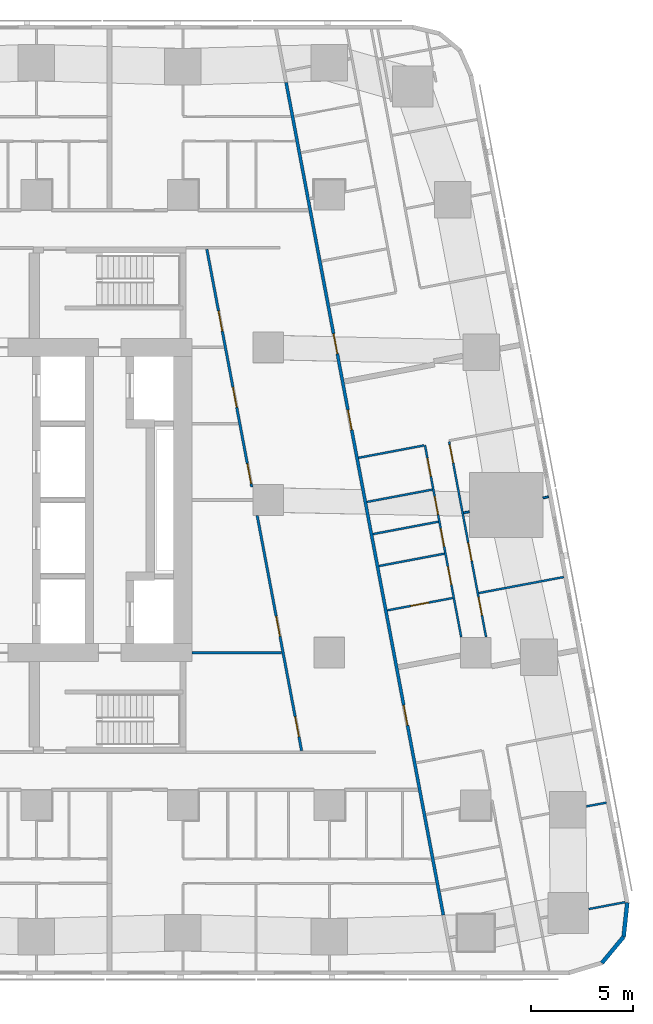
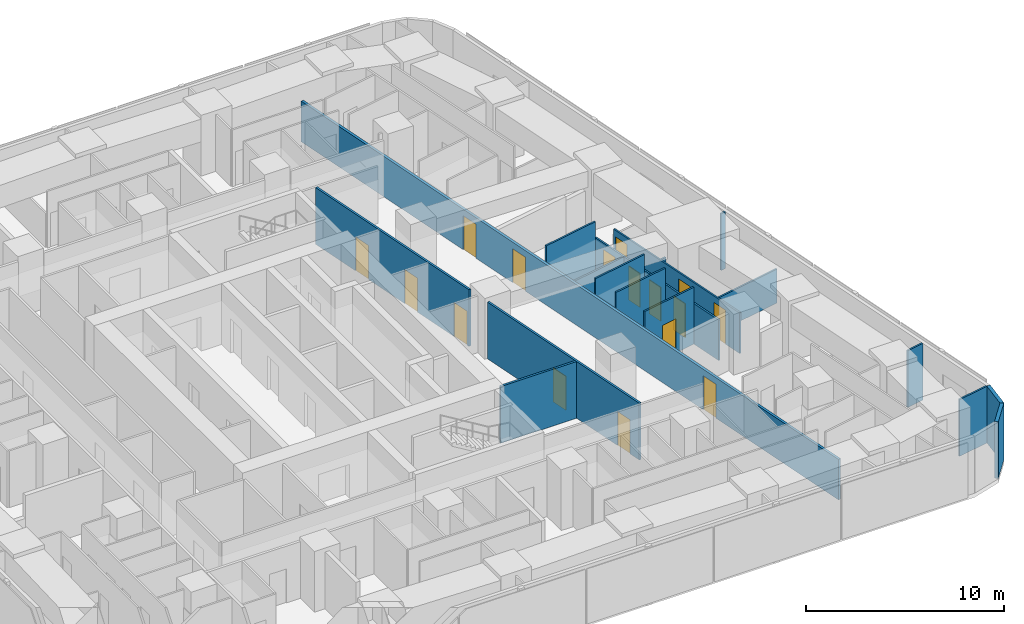
# One storey, part 7 of 15: 18 walls, 16 doors, 16 openings.
"""IFC4 building model written with IfcOpenShell, lengths in metres."""

from ifc_helpers import new_model, si_unit, direction, frame, frame_2d, origin, place, context, subcontext, project, spatial, rectangle, extrude, material, layer, layer_set, type_object, element, fill, save


model = new_model("IFC4")

# Units and contexts
model_context = context("Model", 3, precision=1e-05, world=origin(), true_north=direction((0.0, 1.0)))
body_context = subcontext(model_context, "Body", "Model", "MODEL_VIEW")
ifc_project = project(units=[si_unit("LENGTHUNIT", "METRE"), si_unit("AREAUNIT", "SQUARE_METRE"), si_unit("VOLUMEUNIT", "CUBIC_METRE"), si_unit("PLANEANGLEUNIT", "RADIAN"), si_unit("MASSUNIT", "GRAM", prefix="KILO")], contexts=[model_context])

# Site, building, storey
site_placement = place(None, origin())
site = spatial("IfcSite", under=ifc_project, at=site_placement, CompositionType="ELEMENT")
building_placement = place(site_placement, origin())
building = spatial("IfcBuilding", under=site, at=building_placement, Name="Sheger Commons Tower", CompositionType="ELEMENT")
storey_placement = place(building_placement, frame((0.0, 0.0, 147.050048828125)))
storey = spatial("IfcBuildingStorey", under=building, at=storey_placement, Name="L37", CompositionType="ELEMENT", Elevation=147.050048828125)

# Wall, openings, doors
ifc_material_1 = material(Name="Hollow concrete block masonry, skimmed both sides", Category="masonry")
ifc_layer_1 = layer(ifc_material_1, 0.14990234375)
ifc_layer_set_1 = layer_set([ifc_layer_1], Name="CORRIDOR WALL 150")
wall_type_1 = type_object("IfcWallType", Name="CORRIDOR WALL 150", PredefinedType="SOLIDWALL", material=ifc_layer_set_1)
wall_1_placement = place(storey_placement, frame((33.876953125, 43.029052734375, 0.0), z_axis=(0.0, 0.0, 1.0), x_axis=(0.185596841028, -0.98262597798, 0.0)))
wall_1 = element("IfcWall", 1, at=wall_1_placement, inside=storey, type_object=wall_type_1, Name="Corridor wall L37", PredefinedType="SOLIDWALL", context=body_context, shape_type="SweptSolid", body=[
    extrude(rectangle(XDim=41.659912109375, YDim=0.14990234375, at=frame_2d((20.830078125, 0.0))), origin(), (0.0, 0.0, 1.0), 2.5),
])
opening_1_placement = place(wall_1_placement, frame((12.570068359375, 0.0, 0.0)))
opening_1 = element("IfcOpeningElement", 2, at=opening_1_placement, cuts=wall_1, Name="Opening D1", PredefinedType="OPENING", context=body_context, shape_type="SweptSolid", body=[
    extrude(rectangle(XDim=1.0, YDim=2.10009765625, at=frame_2d((0.5, 1.050048828125))), frame((0.0, 0.0849609375, 0.0), z_axis=(0.0, -1.0, 0.0), x_axis=(1.0, 0.0, 0.0)), (0.0, 0.0, 1.0), 0.169921875),
])
opening_2_placement = place(wall_1_placement, frame((16.385986328125, 0.0, 0.0)))
opening_2 = element("IfcOpeningElement", 3, at=opening_2_placement, cuts=wall_1, Name="Opening D1", PredefinedType="OPENING", context=body_context, shape_type="SweptSolid", body=[
    extrude(rectangle(XDim=1.0, YDim=2.10009765625, at=frame_2d((0.5, 1.050048828125))), frame((0.0, 0.0849609375, 0.0), z_axis=(0.0, -1.0, 0.0), x_axis=(1.0, 0.0, 0.0)), (0.0, 0.0, 1.0), 0.169921875),
])
opening_3_placement = place(wall_1_placement, frame((31.166015625, 0.0, 0.0)))
opening_3 = element("IfcOpeningElement", 4, at=opening_3_placement, cuts=wall_1, Name="Opening D1", PredefinedType="OPENING", context=body_context, shape_type="SweptSolid", body=[
    extrude(rectangle(XDim=1.0, YDim=2.10009765625, at=frame_2d((0.5, 1.050048828125))), frame((0.0, 0.0849609375, 0.0), z_axis=(0.0, -1.0, 0.0), x_axis=(1.0, 0.0, 0.0)), (0.0, 0.0, 1.0), 0.169921875),
])
ifc_material_2 = material(Name="Steel door set, fire rated", Category="steel")
door_type_1 = type_object("IfcDoorType", Name="FLAT ENTRANCE DOOR 1000x2100", OperationType="NOTDEFINED", PredefinedType="DOOR", material=ifc_material_2)
door_1_placement = place(opening_1_placement, origin())
door_1 = element("IfcDoor", 5, at=door_1_placement, inside=storey, type_object=door_type_1, Name="Flat entrance door", OperationType="SINGLE_SWING_RIGHT", OverallHeight=2.10009765625, OverallWidth=1.0, PredefinedType="DOOR", context=body_context, shape_type="SweptSolid", body=[
    extrude(rectangle(XDim=1.0, YDim=2.10009765625, at=frame_2d((0.5, 1.050048828125))), frame((0.0, 0.02490234375, 0.0), z_axis=(0.0, -1.0, 0.0), x_axis=(1.0, 0.0, 0.0)), (0.0, 0.0, 1.0), 0.050048828125),
])
fill(opening_1, door_1)
door_2_placement = place(opening_2_placement, origin())
door_2 = element("IfcDoor", 6, at=door_2_placement, inside=storey, type_object=door_type_1, Name="Flat entrance door", OperationType="SINGLE_SWING_LEFT", OverallHeight=2.10009765625, OverallWidth=1.0, PredefinedType="DOOR", context=body_context, shape_type="SweptSolid", body=[
    extrude(rectangle(XDim=1.0, YDim=2.10009765625, at=frame_2d((0.5, 1.050048828125))), frame((0.0, 0.02490234375, 0.0), z_axis=(0.0, -1.0, 0.0), x_axis=(1.0, 0.0, 0.0)), (0.0, 0.0, 1.0), 0.050048828125),
])
fill(opening_2, door_2)
door_3_placement = place(opening_3_placement, origin())
door_3 = element("IfcDoor", 7, at=door_3_placement, inside=storey, type_object=door_type_1, Name="Flat entrance door", OperationType="SINGLE_SWING_LEFT", OverallHeight=2.10009765625, OverallWidth=1.0, PredefinedType="DOOR", context=body_context, shape_type="SweptSolid", body=[
    extrude(rectangle(XDim=1.0, YDim=2.10009765625, at=frame_2d((0.5, 1.050048828125))), frame((0.0, 0.02490234375, 0.0), z_axis=(0.0, -1.0, 0.0), x_axis=(1.0, 0.0, 0.0)), (0.0, 0.0, 1.0), 0.050048828125),
])
fill(opening_3, door_3)

# Walls
ifc_material_3 = material(Name="Rendered concrete block masonry, dark grey", Category="masonry")
ifc_layer_2 = layer(ifc_material_3, 0.199951171875)
ifc_layer_set_2 = layer_set([ifc_layer_2], Name="FACADE WALL 200")
wall_type_2 = type_object("IfcWallType", Name="FACADE WALL 200", PredefinedType="SOLIDWALL", material=ifc_layer_set_2)
wall_2_placement = place(storey_placement, frame((49.406982421875, -0.262939453125, 0.0), z_axis=(0.0, 0.0, 1.0), x_axis=(0.638042593423, 0.770001070764, 0.0)))
element("IfcWall", 8, at=wall_2_placement, inside=storey, type_object=wall_type_2, Name="Facade wall L37", PredefinedType="SOLIDWALL", context=body_context, shape_type="SweptSolid", body=[
    extrude(rectangle(XDim=1.672607421875, YDim=0.199951171875, at=frame_2d((0.83642578125, 0.0))), origin(), (0.0, 0.0, 1.0), 3.5),
])
wall_3_placement = place(storey_placement, frame((50.47412109375, 1.02490234375, 0.0), z_axis=(0.0, 0.0, 1.0), x_axis=(0.106047815515, 0.994361031429, 0.0)))
element("IfcWall", 9, at=wall_3_placement, inside=storey, type_object=wall_type_2, Name="Facade wall L37", PredefinedType="SOLIDWALL", context=body_context, shape_type="SweptSolid", body=[
    extrude(rectangle(XDim=1.6875, YDim=0.199951171875, at=frame_2d((0.84375, 0.0))), origin(), (0.0, 0.0, 1.0), 3.5),
])

# Wall, openings, doors
ifc_material_4 = material(Name="Gypsum board on steel studs", Category="steel")
ifc_layer_3 = layer(ifc_material_4, 0.10009765625)
ifc_layer_set_3 = layer_set([ifc_layer_3], Name="PARTITION 100")
wall_type_3 = type_object("IfcWallType", Name="PARTITION 100", PredefinedType="PARTITIONING", material=ifc_layer_set_3)
wall_4_placement = place(storey_placement, frame((41.89404296875, 25.365966796875, 0.0), z_axis=(0.0, 0.0, 1.0), x_axis=(0.1856544654, -0.982615092229, 0.0)))
wall_4 = element("IfcWall", 10, at=wall_4_placement, inside=storey, type_object=wall_type_3, Name="Partition L37", PredefinedType="PARTITIONING", context=body_context, shape_type="SweptSolid", body=[
    extrude(rectangle(XDim=9.77587890625, YDim=0.10009765625, at=frame_2d((4.887939453125, 0.0))), origin(), (0.0, 0.0, 1.0), 2.5),
])
opening_4_placement = place(wall_4_placement, frame((0.15087890625, 0.0, 0.0)))
opening_4 = element("IfcOpeningElement", 11, at=opening_4_placement, cuts=wall_4, Name="Opening D2", PredefinedType="OPENING", context=body_context, shape_type="SweptSolid", body=[
    extrude(rectangle(XDim=0.89990234375, YDim=2.10009765625, at=frame_2d((0.449951171875, 1.050048828125))), frame((0.0, 0.06005859375, 0.0), z_axis=(0.0, -1.0, 0.0), x_axis=(1.0, 0.0, 0.0)), (0.0, 0.0, 1.0), 0.1201171875),
])
opening_5_placement = place(wall_4_placement, frame((5.050048828125, 0.0, 0.0)))
opening_5 = element("IfcOpeningElement", 12, at=opening_5_placement, cuts=wall_4, Name="Opening D2", PredefinedType="OPENING", context=body_context, shape_type="SweptSolid", body=[
    extrude(rectangle(XDim=0.89990234375, YDim=2.10009765625, at=frame_2d((0.449951171875, 1.050048828125))), frame((0.0, 0.06005859375, 0.0), z_axis=(0.0, -1.0, 0.0), x_axis=(1.0, 0.0, 0.0)), (0.0, 0.0, 1.0), 0.1201171875),
])
opening_6_placement = place(wall_4_placement, frame((7.782958984375, 0.0, 0.0)))
opening_6 = element("IfcOpeningElement", 13, at=opening_6_placement, cuts=wall_4, Name="Opening D2", PredefinedType="OPENING", context=body_context, shape_type="SweptSolid", body=[
    extrude(rectangle(XDim=0.89990234375, YDim=2.10009765625, at=frame_2d((0.449951171875, 1.050048828125))), frame((0.0, 0.06005859375, 0.0), z_axis=(0.0, -1.0, 0.0), x_axis=(1.0, 0.0, 0.0)), (0.0, 0.0, 1.0), 0.1201171875),
])
ifc_material_5 = material(Name="Timber door set", Category="wood")
door_type_2 = type_object("IfcDoorType", Name="INTERNAL DOOR 900x2100", OperationType="NOTDEFINED", PredefinedType="DOOR", material=ifc_material_5)
door_4_placement = place(opening_4_placement, origin())
door_4 = element("IfcDoor", 14, at=door_4_placement, inside=storey, type_object=door_type_2, Name="Main bedroom door", OperationType="SINGLE_SWING_LEFT", OverallHeight=2.10009765625, OverallWidth=0.89990234375, PredefinedType="DOOR", context=body_context, shape_type="SweptSolid", body=[
    extrude(rectangle(XDim=0.89990234375, YDim=2.10009765625, at=frame_2d((0.449951171875, 1.050048828125))), frame((0.0, 0.02490234375, 0.0), z_axis=(0.0, -1.0, 0.0), x_axis=(1.0, 0.0, 0.0)), (0.0, 0.0, 1.0), 0.050048828125),
])
fill(opening_4, door_4)
door_5_placement = place(opening_5_placement, origin())
door_5 = element("IfcDoor", 15, at=door_5_placement, inside=storey, type_object=door_type_2, Name="Bedroom 2 door", OperationType="SINGLE_SWING_LEFT", OverallHeight=2.10009765625, OverallWidth=0.89990234375, PredefinedType="DOOR", context=body_context, shape_type="SweptSolid", body=[
    extrude(rectangle(XDim=0.89990234375, YDim=2.10009765625, at=frame_2d((0.449951171875, 1.050048828125))), frame((0.0, 0.02490234375, 0.0), z_axis=(0.0, -1.0, 0.0), x_axis=(1.0, 0.0, 0.0)), (0.0, 0.0, 1.0), 0.050048828125),
])
fill(opening_5, door_5)
door_6_placement = place(opening_6_placement, origin())
door_6 = element("IfcDoor", 16, at=door_6_placement, inside=storey, type_object=door_type_2, Name="Bedroom 3 door", OperationType="SINGLE_SWING_LEFT", OverallHeight=2.10009765625, OverallWidth=0.89990234375, PredefinedType="DOOR", context=body_context, shape_type="SweptSolid", body=[
    extrude(rectangle(XDim=0.89990234375, YDim=2.10009765625, at=frame_2d((0.449951171875, 1.050048828125))), frame((0.0, 0.02490234375, 0.0), z_axis=(0.0, -1.0, 0.0), x_axis=(1.0, 0.0, 0.0)), (0.0, 0.0, 1.0), 0.050048828125),
])
fill(opening_6, door_6)

wall_5_placement = place(storey_placement, frame((40.7060546875, 25.19189453125, 0.0), z_axis=(0.0, 0.0, 1.0), x_axis=(0.185610321375, -0.982623431737, 0.0)))
wall_5 = element("IfcWall", 17, at=wall_5_placement, inside=storey, type_object=wall_type_3, Name="Partition L37", PredefinedType="PARTITIONING", context=body_context, shape_type="SweptSolid", body=[
    extrude(rectangle(XDim=9.6005859375, YDim=0.10009765625, at=frame_2d((4.80029296875, 0.0))), origin(), (0.0, 0.0, 1.0), 2.5),
])
opening_7_placement = place(wall_5_placement, frame((0.655029296875, 0.0, 0.0)))
opening_7 = element("IfcOpeningElement", 18, at=opening_7_placement, cuts=wall_5, Name="Opening D2", PredefinedType="OPENING", context=body_context, shape_type="SweptSolid", body=[
    extrude(rectangle(XDim=0.89990234375, YDim=2.10009765625, at=frame_2d((0.449951171875, 1.050048828125))), frame((0.0, 0.06005859375, 0.0), z_axis=(0.0, -1.0, 0.0), x_axis=(1.0, 0.0, 0.0)), (0.0, 0.0, 1.0), 0.1201171875),
])
opening_8_placement = place(wall_5_placement, frame((4.166015625, 0.0, 0.0)))
opening_8 = element("IfcOpeningElement", 19, at=opening_8_placement, cuts=wall_5, Name="Opening D2", PredefinedType="OPENING", context=body_context, shape_type="SweptSolid", body=[
    extrude(rectangle(XDim=0.89990234375, YDim=2.10009765625, at=frame_2d((0.449951171875, 1.050048828125))), frame((0.0, 0.06005859375, 0.0), z_axis=(0.0, -1.0, 0.0), x_axis=(1.0, 0.0, 0.0)), (0.0, 0.0, 1.0), 0.1201171875),
])
opening_9_placement = place(wall_5_placement, frame((2.56298828125, 0.0, 0.0)))
opening_9 = element("IfcOpeningElement", 20, at=opening_9_placement, cuts=wall_5, Name="Opening D2", PredefinedType="OPENING", context=body_context, shape_type="SweptSolid", body=[
    extrude(rectangle(XDim=0.89990234375, YDim=2.10009765625, at=frame_2d((0.449951171875, 1.050048828125))), frame((0.0, 0.06005859375, 0.0), z_axis=(0.0, -1.0, 0.0), x_axis=(1.0, 0.0, 0.0)), (0.0, 0.0, 1.0), 0.1201171875),
])
opening_10_placement = place(wall_5_placement, frame((6.073974609375, 0.0, 0.0)))
opening_10 = element("IfcOpeningElement", 21, at=opening_10_placement, cuts=wall_5, Name="Opening D2", PredefinedType="OPENING", context=body_context, shape_type="SweptSolid", body=[
    extrude(rectangle(XDim=0.89990234375, YDim=2.10009765625, at=frame_2d((0.449951171875, 1.050048828125))), frame((0.0, 0.06005859375, 0.0), z_axis=(0.0, -1.0, 0.0), x_axis=(1.0, 0.0, 0.0)), (0.0, 0.0, 1.0), 0.1201171875),
])
door_7_placement = place(opening_7_placement, origin())
door_7 = element("IfcDoor", 22, at=door_7_placement, inside=storey, type_object=door_type_2, Name="Bathroom door", OperationType="SINGLE_SWING_RIGHT", OverallHeight=2.10009765625, OverallWidth=0.89990234375, PredefinedType="DOOR", context=body_context, shape_type="SweptSolid", body=[
    extrude(rectangle(XDim=0.89990234375, YDim=2.10009765625, at=frame_2d((0.449951171875, 1.050048828125))), frame((0.0, 0.02490234375, 0.0), z_axis=(0.0, -1.0, 0.0), x_axis=(1.0, 0.0, 0.0)), (0.0, 0.0, 1.0), 0.050048828125),
])
fill(opening_7, door_7)
door_8_placement = place(opening_8_placement, origin())
door_8 = element("IfcDoor", 23, at=door_8_placement, inside=storey, type_object=door_type_2, Name="Shower room door", OperationType="SINGLE_SWING_RIGHT", OverallHeight=2.10009765625, OverallWidth=0.89990234375, PredefinedType="DOOR", context=body_context, shape_type="SweptSolid", body=[
    extrude(rectangle(XDim=0.89990234375, YDim=2.10009765625, at=frame_2d((0.449951171875, 1.050048828125))), frame((0.0, 0.02490234375, 0.0), z_axis=(0.0, -1.0, 0.0), x_axis=(1.0, 0.0, 0.0)), (0.0, 0.0, 1.0), 0.050048828125),
])
fill(opening_8, door_8)
door_9_placement = place(opening_9_placement, origin())
door_9 = element("IfcDoor", 24, at=door_9_placement, inside=storey, type_object=door_type_2, Name="Store door", OperationType="SINGLE_SWING_RIGHT", OverallHeight=2.10009765625, OverallWidth=0.89990234375, PredefinedType="DOOR", context=body_context, shape_type="SweptSolid", body=[
    extrude(rectangle(XDim=0.89990234375, YDim=2.10009765625, at=frame_2d((0.449951171875, 1.050048828125))), frame((0.0, 0.02490234375, 0.0), z_axis=(0.0, -1.0, 0.0), x_axis=(1.0, 0.0, 0.0)), (0.0, 0.0, 1.0), 0.050048828125),
])
fill(opening_9, door_9)
door_10_placement = place(opening_10_placement, origin())
door_10 = element("IfcDoor", 25, at=door_10_placement, inside=storey, type_object=door_type_2, Name="Store door", OperationType="SINGLE_SWING_LEFT", OverallHeight=2.10009765625, OverallWidth=0.89990234375, PredefinedType="DOOR", context=body_context, shape_type="SweptSolid", body=[
    extrude(rectangle(XDim=0.89990234375, YDim=2.10009765625, at=frame_2d((0.449951171875, 1.050048828125))), frame((0.0, 0.02490234375, 0.0), z_axis=(0.0, -1.0, 0.0), x_axis=(1.0, 0.0, 0.0)), (0.0, 0.0, 1.0), 0.050048828125),
])
fill(opening_10, door_10)

# Walls
wall_6_placement = place(storey_placement, frame((46.781982421875, 22.656982421875, 0.0), z_axis=(0.0, 0.0, 1.0), x_axis=(-0.982574553168, -0.185868898601, 0.0)))
element("IfcWall", 26, at=wall_6_placement, inside=storey, type_object=wall_type_3, Name="Partition L37", PredefinedType="PARTITIONING", context=body_context, shape_type="SweptSolid", body=[
    extrude(rectangle(XDim=0.27978515625, YDim=0.10009765625, at=frame_2d((0.139892578125, 0.0))), origin(), (0.0, 0.0, 1.0), 3.5),
])
wall_7_placement = place(storey_placement, frame((42.886962890625, 21.9208984375, 0.0), z_axis=(0.0, 0.0, 1.0), x_axis=(-0.982688058078, -0.185267861514, 0.0)))
element("IfcWall", 27, at=wall_7_placement, inside=storey, type_object=wall_type_3, Name="Partition L37", PredefinedType="PARTITIONING", context=body_context, shape_type="SweptSolid", body=[
    extrude(rectangle(XDim=0.285888671875, YDim=0.10009765625, at=frame_2d((0.14306640625, 0.0))), origin(), (0.0, 0.0, 1.0), 2.5),
])
wall_8_placement = place(storey_placement, frame((47.527099609375, 18.7119140625, 0.0), z_axis=(0.0, 0.0, 1.0), x_axis=(-0.982665405803, -0.185387972203, 0.0)))
element("IfcWall", 28, at=wall_8_placement, inside=storey, type_object=wall_type_3, Name="Partition L37", PredefinedType="PARTITIONING", context=body_context, shape_type="SweptSolid", body=[
    extrude(rectangle(XDim=4.249755859375, YDim=0.10009765625, at=frame_2d((2.125, 0.0))), origin(), (0.0, 0.0, 1.0), 2.099853515625),
])
for number, where, z_axis, x_axis, name in (
    (29, (40.656982421875, 25.18310546875, 0.0), (0.0, 0.0, 1.0), (-0.982607026909, -0.185697147715, 0.0), "Partition L37"),
    (30, (41.364990234375, 21.43310546875, 0.0), (0.0, 0.0, 1.0), (-0.982607026909, -0.185697147715, 0.0), "Partition L37"),
):
    element("IfcWall", number, at=place(storey_placement, frame(where, z_axis=z_axis, x_axis=x_axis)), inside=storey, type_object=wall_type_3, Name=name, PredefinedType="PARTITIONING", context=body_context, shape_type="SweptSolid", body=[
        extrude(rectangle(XDim=3.27490234375, YDim=0.10009765625, at=frame_2d((1.637451171875, 0.0))), origin(), (0.0, 0.0, 1.0), 3.5),
    ])

# Wall, opening, door
wall_9_placement = place(storey_placement, frame((42.072998046875, 17.681884765625, 0.0), z_axis=(0.0, 0.0, 1.0), x_axis=(-0.982610347627, -0.185679575441, 0.0)))
wall_9 = element("IfcWall", 31, at=wall_9_placement, inside=storey, type_object=wall_type_3, Name="Partition L37", PredefinedType="PARTITIONING", context=body_context, shape_type="SweptSolid", body=[
    extrude(rectangle(XDim=3.27392578125, YDim=0.10009765625, at=frame_2d((1.636962890625, 0.0))), origin(), (0.0, 0.0, 1.0), 3.5),
])
opening_11_placement = place(wall_9_placement, frame((1.199951171875, 0.0, 0.0)))
opening_11 = element("IfcOpeningElement", 32, at=opening_11_placement, cuts=wall_9, Name="Opening D2", PredefinedType="OPENING", context=body_context, shape_type="SweptSolid", body=[
    extrude(rectangle(XDim=0.89990234375, YDim=2.10009765625, at=frame_2d((0.449951171875, 1.050048828125))), frame((0.0, 0.06005859375, 0.0), z_axis=(0.0, -1.0, 0.0), x_axis=(1.0, 0.0, 0.0)), (0.0, 0.0, 1.0), 0.1201171875),
])
door_11_placement = place(opening_11_placement, origin())
door_11 = element("IfcDoor", 33, at=door_11_placement, inside=storey, type_object=door_type_2, Name="Store door", OperationType="SINGLE_SWING_RIGHT", OverallHeight=2.10009765625, OverallWidth=0.89990234375, PredefinedType="DOOR", context=body_context, shape_type="SweptSolid", body=[
    extrude(rectangle(XDim=0.89990234375, YDim=2.10009765625, at=frame_2d((0.449951171875, 1.050048828125))), frame((0.0, 0.02490234375, 0.0), z_axis=(0.0, -1.0, 0.0), x_axis=(1.0, 0.0, 0.0)), (0.0, 0.0, 1.0), 0.050048828125),
])
fill(opening_11, door_11)

# Walls
wall_10_placement = place(storey_placement, frame((41.06689453125, 23.010986328125, 0.0), z_axis=(0.0, 0.0, 1.0), x_axis=(-0.982618057925, -0.185638768151, 0.0)))
element("IfcWall", 34, at=wall_10_placement, inside=storey, type_object=wall_type_3, Name="Partition L37", PredefinedType="PARTITIONING", context=body_context, shape_type="SweptSolid", body=[
    extrude(rectangle(XDim=3.274658203125, YDim=0.10009765625, at=frame_2d((1.63720703125, 0.0))), origin(), (0.0, 0.0, 1.0), 2.5),
])
wall_11_placement = place(storey_placement, frame((41.662109375, 19.861083984375, 0.0), z_axis=(0.0, 0.0, 1.0), x_axis=(-0.982607026909, -0.185697147715, 0.0)))
element("IfcWall", 35, at=wall_11_placement, inside=storey, type_object=wall_type_3, Name="Partition L37", PredefinedType="PARTITIONING", context=body_context, shape_type="SweptSolid", body=[
    extrude(rectangle(XDim=3.27490234375, YDim=0.10009765625, at=frame_2d((1.637451171875, 0.0))), origin(), (0.0, 0.0, 1.0), 3.5),
])
wall_12_placement = place(storey_placement, frame((49.6220703125, 7.6201171875, 0.0), z_axis=(0.0, 0.0, 1.0), x_axis=(-0.982708646087, -0.185158626332, 0.0)))
element("IfcWall", 36, at=wall_12_placement, inside=storey, type_object=wall_type_3, Name="Partition L37", PredefinedType="PARTITIONING", context=body_context, shape_type="SweptSolid", body=[
    extrude(rectangle(XDim=0.99951171875, YDim=0.10009765625, at=frame_2d((0.499755859375, 0.0))), origin(), (0.0, 0.0, 1.0), 3.5),
])
wall_13_placement = place(storey_placement, frame((50.547119140625, 2.72607421875, 0.0), z_axis=(0.0, 0.0, 1.0), x_axis=(-0.982603988143, -0.185713226471, 0.0)))
element("IfcWall", 37, at=wall_13_placement, inside=storey, type_object=wall_type_3, Name="Partition L37", PredefinedType="PARTITIONING", context=body_context, shape_type="SweptSolid", body=[
    extrude(rectangle(XDim=1.82080078125, YDim=0.10009765625, at=frame_2d((0.910400390625, 0.0))), origin(), (0.0, 0.0, 1.0), 3.5),
])

# Wall, openings, doors
ifc_material_6 = material(Name="Gypsum board on steel studs, two layers each side, fire rated", Category="steel")
ifc_layer_4 = layer(ifc_material_6, 0.125)
ifc_layer_set_4 = layer_set([ifc_layer_4], Name="SERVICE WALL 125")
wall_type_4 = type_object("IfcWallType", Name="SERVICE WALL 125", PredefinedType="PARTITIONING", material=ifc_layer_set_4)
wall_14_placement = place(storey_placement, frame((34.637939453125, 10.174072265625, 0.0), z_axis=(0.0, 0.0, 1.0), x_axis=(-0.185583626094, 0.982628473903, 0.0)))
wall_14 = element("IfcWall", 38, at=wall_14_placement, inside=storey, type_object=wall_type_4, Name="Service room wall L37", PredefinedType="PARTITIONING", context=body_context, shape_type="SweptSolid", body=[
    extrude(rectangle(XDim=11.767333984375, YDim=0.125, at=frame_2d((5.8837890625, 0.0))), origin(), (0.0, 0.0, 1.0), 3.5),
])
opening_12_placement = place(wall_14_placement, frame((0.697021484375, 0.0, 0.0)))
opening_12 = element("IfcOpeningElement", 39, at=opening_12_placement, cuts=wall_14, Name="Opening D4", PredefinedType="OPENING", context=body_context, shape_type="SweptSolid", body=[
    extrude(rectangle(XDim=1.0, YDim=2.10009765625, at=frame_2d((0.5, 1.050048828125))), frame((0.0, 0.072509765625, 0.0), z_axis=(0.0, -1.0, 0.0), x_axis=(1.0, 0.0, 0.0)), (0.0, 0.0, 1.0), 0.14501953125),
])
opening_13_placement = place(wall_14_placement, frame((5.73388671875, 0.0, 0.0)))
opening_13 = element("IfcOpeningElement", 40, at=opening_13_placement, cuts=wall_14, Name="Opening D4", PredefinedType="OPENING", context=body_context, shape_type="SweptSolid", body=[
    extrude(rectangle(XDim=1.0, YDim=2.10009765625, at=frame_2d((0.5, 1.050048828125))), frame((0.0, 0.072509765625, 0.0), z_axis=(0.0, -1.0, 0.0), x_axis=(1.0, 0.0, 0.0)), (0.0, 0.0, 1.0), 0.14501953125),
])
ifc_material_7 = material(Name="Steel door set, fire rated", Category="steel")
door_type_3 = type_object("IfcDoorType", Name="SERVICE DOOR 1000x2100", OperationType="NOTDEFINED", PredefinedType="DOOR", material=ifc_material_7)
door_12_placement = place(opening_12_placement, origin())
door_12 = element("IfcDoor", 41, at=door_12_placement, inside=storey, type_object=door_type_3, Name="Residents' meeting room door", OperationType="SINGLE_SWING_LEFT", OverallHeight=2.10009765625, OverallWidth=1.0, PredefinedType="DOOR", context=body_context, shape_type="SweptSolid", body=[
    extrude(rectangle(XDim=1.0, YDim=2.10009765625, at=frame_2d((0.5, 1.050048828125))), frame((0.0, 0.02490234375, 0.0), z_axis=(0.0, -1.0, 0.0), x_axis=(1.0, 0.0, 0.0)), (0.0, 0.0, 1.0), 0.050048828125),
])
fill(opening_12, door_12)
door_13_placement = place(opening_13_placement, origin())
door_13 = element("IfcDoor", 42, at=door_13_placement, inside=storey, type_object=door_type_3, Name="Children's play room door", OperationType="SINGLE_SWING_LEFT", OverallHeight=2.10009765625, OverallWidth=1.0, PredefinedType="DOOR", context=body_context, shape_type="SweptSolid", body=[
    extrude(rectangle(XDim=1.0, YDim=2.10009765625, at=frame_2d((0.5, 1.050048828125))), frame((0.0, 0.02490234375, 0.0), z_axis=(0.0, -1.0, 0.0), x_axis=(1.0, 0.0, 0.0)), (0.0, 0.0, 1.0), 0.050048828125),
])
fill(opening_13, door_13)

wall_15_placement = place(storey_placement, frame((32.18798828125, 23.14111328125, 0.0), z_axis=(0.0, 0.0, 1.0), x_axis=(-0.185598625075, 0.98262564101, 0.0)))
wall_15 = element("IfcWall", 43, at=wall_15_placement, inside=storey, type_object=wall_type_4, Name="Service room wall L37", PredefinedType="PARTITIONING", context=body_context, shape_type="SweptSolid", body=[
    extrude(rectangle(XDim=11.891357421875, YDim=0.125, at=frame_2d((5.94580078125, 0.0))), origin(), (0.0, 0.0, 1.0), 3.5),
])
opening_14_placement = place(wall_15_placement, frame((0.1708984375, 0.0, 0.0)))
opening_14 = element("IfcOpeningElement", 44, at=opening_14_placement, cuts=wall_15, Name="Opening D4", PredefinedType="OPENING", context=body_context, shape_type="SweptSolid", body=[
    extrude(rectangle(XDim=1.0, YDim=2.10009765625, at=frame_2d((0.5, 1.050048828125))), frame((0.0, 0.072509765625, 0.0), z_axis=(0.0, -1.0, 0.0), x_axis=(1.0, 0.0, 0.0)), (0.0, 0.0, 1.0), 0.14501953125),
])
opening_15_placement = place(wall_15_placement, frame((3.987060546875, 0.0, 0.0)))
opening_15 = element("IfcOpeningElement", 45, at=opening_15_placement, cuts=wall_15, Name="Opening D4", PredefinedType="OPENING", context=body_context, shape_type="SweptSolid", body=[
    extrude(rectangle(XDim=1.0, YDim=2.10009765625, at=frame_2d((0.5, 1.050048828125))), frame((0.0, 0.072509765625, 0.0), z_axis=(0.0, -1.0, 0.0), x_axis=(1.0, 0.0, 0.0)), (0.0, 0.0, 1.0), 0.14501953125),
])
opening_16_placement = place(wall_15_placement, frame((7.802978515625, 0.0, 0.0)))
opening_16 = element("IfcOpeningElement", 46, at=opening_16_placement, cuts=wall_15, Name="Opening D4", PredefinedType="OPENING", context=body_context, shape_type="SweptSolid", body=[
    extrude(rectangle(XDim=1.0, YDim=2.10009765625, at=frame_2d((0.5, 1.050048828125))), frame((0.0, 0.072509765625, 0.0), z_axis=(0.0, -1.0, 0.0), x_axis=(1.0, 0.0, 0.0)), (0.0, 0.0, 1.0), 0.14501953125),
])
door_14_placement = place(opening_14_placement, origin())
door_14 = element("IfcDoor", 47, at=door_14_placement, inside=storey, type_object=door_type_3, Name="Caretaker's store door", OperationType="SINGLE_SWING_LEFT", OverallHeight=2.10009765625, OverallWidth=1.0, PredefinedType="DOOR", context=body_context, shape_type="SweptSolid", body=[
    extrude(rectangle(XDim=1.0, YDim=2.10009765625, at=frame_2d((0.5, 1.050048828125))), frame((0.0, 0.02490234375, 0.0), z_axis=(0.0, -1.0, 0.0), x_axis=(1.0, 0.0, 0.0)), (0.0, 0.0, 1.0), 0.050048828125),
])
fill(opening_14, door_14)
door_15_placement = place(opening_15_placement, origin())
door_15 = element("IfcDoor", 48, at=door_15_placement, inside=storey, type_object=door_type_3, Name="Residents' store door", OperationType="SINGLE_SWING_LEFT", OverallHeight=2.10009765625, OverallWidth=1.0, PredefinedType="DOOR", context=body_context, shape_type="SweptSolid", body=[
    extrude(rectangle(XDim=1.0, YDim=2.10009765625, at=frame_2d((0.5, 1.050048828125))), frame((0.0, 0.02490234375, 0.0), z_axis=(0.0, -1.0, 0.0), x_axis=(1.0, 0.0, 0.0)), (0.0, 0.0, 1.0), 0.050048828125),
])
fill(opening_15, door_15)
door_16_placement = place(opening_16_placement, origin())
door_16 = element("IfcDoor", 49, at=door_16_placement, inside=storey, type_object=door_type_3, Name="Parcel and delivery room door", OperationType="SINGLE_SWING_LEFT", OverallHeight=2.10009765625, OverallWidth=1.0, PredefinedType="DOOR", context=body_context, shape_type="SweptSolid", body=[
    extrude(rectangle(XDim=1.0, YDim=2.10009765625, at=frame_2d((0.5, 1.050048828125))), frame((0.0, 0.02490234375, 0.0), z_axis=(0.0, -1.0, 0.0), x_axis=(1.0, 0.0, 0.0)), (0.0, 0.0, 1.0), 0.050048828125),
])
fill(opening_16, door_16)

# Wall
wall_16_placement = place(storey_placement, frame((29.25, 15.0, 0.0), z_axis=(0.0, 0.0, 1.0), x_axis=(1.0, 0.0, 0.0)))
element("IfcWall", 50, at=wall_16_placement, inside=storey, type_object=wall_type_4, Name="Service room wall L37", PredefinedType="PARTITIONING", context=body_context, shape_type="SweptSolid", body=[
    extrude(rectangle(XDim=4.4130859375, YDim=0.125, at=frame_2d((2.20654296875, 0.0))), origin(), (0.0, 0.0, 1.0), 3.5),
])

save(model, "model.ifc")
